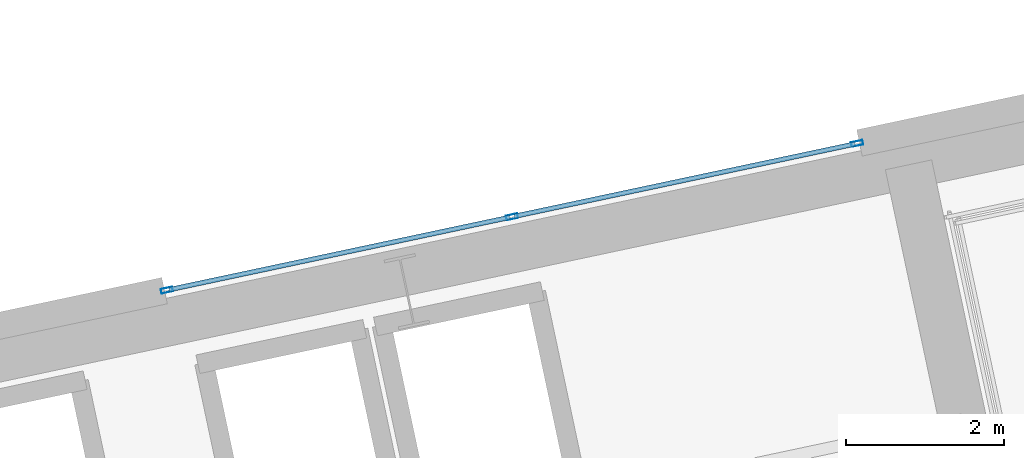
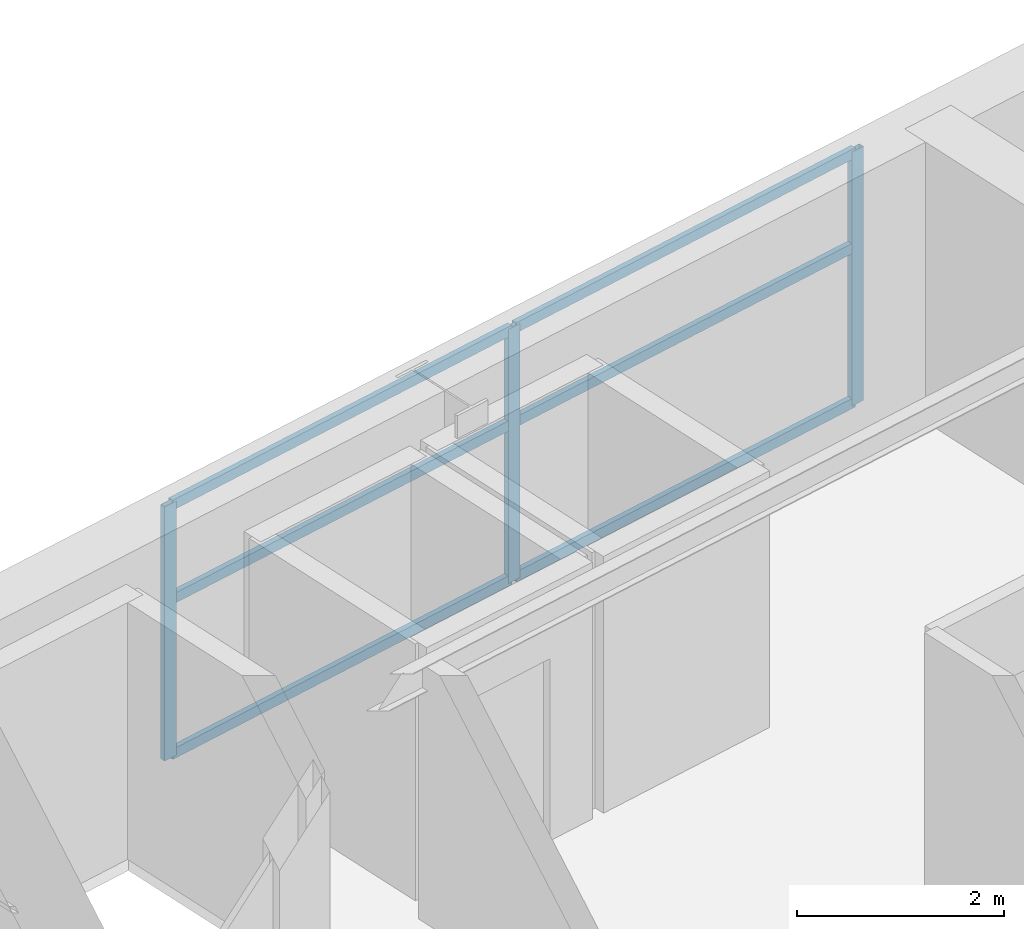
# One storey, part 6 of 22: 9 members, 1 element without a shape of its own.
"""IFC4 building model written with IfcOpenShell, lengths in metres."""

from ifc_helpers import new_model, si_unit, direction, frame, origin, origin_2d, place, context, subcontext, project, spatial, hollow_rectangle, extrude, material, layer, layer_set, material_profile, profile_set, type_object, element, aggregate, save


model = new_model("IFC4")

# Units and contexts
model_context = context("Model", 3, precision=1e-05, world=origin(), true_north=direction((0.0, 1.0)))
body_context = subcontext(model_context, "Body", "Model", "MODEL_VIEW")
ifc_project = project(units=[si_unit("LENGTHUNIT", "METRE"), si_unit("AREAUNIT", "SQUARE_METRE"), si_unit("VOLUMEUNIT", "CUBIC_METRE"), si_unit("PLANEANGLEUNIT", "RADIAN"), si_unit("MASSUNIT", "GRAM", prefix="KILO")], contexts=[model_context])

# Site, building, storey
site_placement = place(None, origin())
site = spatial("IfcSite", under=ifc_project, at=site_placement, CompositionType="ELEMENT")
building_placement = place(site_placement, origin())
building = spatial("IfcBuilding", under=site, at=building_placement, Name="Haevon Station Towers", CompositionType="ELEMENT")
storey_placement = place(building_placement, frame((0.0, 0.0, 70.199951171875)))
storey = spatial("IfcBuildingStorey", under=building, at=storey_placement, Name="L18", CompositionType="ELEMENT", Elevation=70.199951171875)

# Curtain wall, members
ifc_material_1 = material(Name="Anodised aluminium and Low-E double glazing", Category="aluminium")
ifc_layer = layer(ifc_material_1, 0.179931640625)
ifc_layer_set = layer_set([ifc_layer], Name="Anodised aluminium and Low-E double glazing")
curtain_wall_type = type_object("IfcCurtainWallType", Name="CW-SYS5", PredefinedType="NOTDEFINED", material=ifc_layer_set)
curtain_wall_placement = place(storey_placement, origin())
curtain_wall = element("IfcCurtainWall", 1, at=curtain_wall_placement, inside=storey, type_object=curtain_wall_type, Name="L18 Curtain Wall CW-T2-L18-N", PredefinedType="NOTDEFINED")
ifc_material_2 = material(Name="Anodised aluminium 6063-T6", Category="aluminium")
ifc_material_profile_1 = material_profile(ifc_material_2, hollow_rectangle(XDim=0.06005859375, YDim=0.14990234375, WallThickness=0.00341796875, at=origin_2d()), Name="CWM-150x60x3.5")
ifc_profile_set_1 = profile_set([ifc_material_profile_1], Name="Anodised aluminium 6063-T6")
member_type_1 = type_object("IfcMemberType", Name="CWM-150", PredefinedType="MULLION", material=ifc_profile_set_1)
member_1_placement = place(storey_placement, frame((104.03857421875, 48.78955078125, 0.0), z_axis=(0.0, 0.0, 1.0), x_axis=(-0.207911783211, 0.978147581095, 0.0)))
member_1 = element("IfcMember", 2, at=member_1_placement, type_object=member_type_1, Name="CW-SYS5 mullion 1", PredefinedType="MULLION", context=body_context, shape_type="SweptSolid", body=[
    extrude(hollow_rectangle(XDim=0.06005859375, YDim=0.14990234375, WallThickness=0.00341796875, at=origin_2d()), origin(), (0.0, 0.0, 1.0), 3.0),
])
member_2_placement = place(storey_placement, frame((108.410888671875, 49.71875, 0.0), z_axis=(0.0, 0.0, 1.0), x_axis=(-0.207911783211, 0.978147581095, 0.0)))
member_2 = element("IfcMember", 3, at=member_2_placement, type_object=member_type_1, Name="CW-SYS5 mullion 2", PredefinedType="MULLION", context=body_context, shape_type="SweptSolid", body=[
    extrude(hollow_rectangle(XDim=0.06005859375, YDim=0.14990234375, WallThickness=0.00341796875, at=origin_2d()), origin(), (0.0, 0.0, 1.0), 3.0),
])
member_3_placement = place(storey_placement, frame((112.783203125, 50.648193359375, 0.0), z_axis=(0.0, 0.0, 1.0), x_axis=(-0.207911783211, 0.978147581095, 0.0)))
member_3 = element("IfcMember", 4, at=member_3_placement, type_object=member_type_1, Name="CW-SYS5 mullion 3", PredefinedType="MULLION", context=body_context, shape_type="SweptSolid", body=[
    extrude(hollow_rectangle(XDim=0.06005859375, YDim=0.14990234375, WallThickness=0.00341796875, at=origin_2d()), origin(), (0.0, 0.0, 1.0), 3.0),
])
ifc_material_profile_2 = material_profile(ifc_material_2, hollow_rectangle(XDim=0.06005859375, YDim=0.1201171875, WallThickness=0.0029296875, at=origin_2d()), Name="CWT-120x60x3")
ifc_profile_set_2 = profile_set([ifc_material_profile_2], Name="Anodised aluminium 6063-T6")
member_type_2 = type_object("IfcMemberType", Name="CWT-120", PredefinedType="USERDEFINED", material=ifc_profile_set_2)
member_4_placement = place(storey_placement, frame((104.068115234375, 48.795654296875, 0.030029296875), z_axis=(0.978141400356, 0.207940859165, 0.0), x_axis=(-0.207940859165, 0.978141400356, 0.0)))
member_4 = element("IfcMember", 5, at=member_4_placement, type_object=member_type_2, Name="CW-SYS5 transom 1.1", ObjectType="TRANSOM", PredefinedType="USERDEFINED", context=body_context, shape_type="SweptSolid", body=[
    extrude(hollow_rectangle(XDim=0.06005859375, YDim=0.1201171875, WallThickness=0.0029296875, at=origin_2d()), origin(), (0.0, 0.0, 1.0), 4.409912109375),
])
member_5_placement = place(storey_placement, frame((104.068115234375, 48.795654296875, 1.860107421875), z_axis=(0.978141400356, 0.207940859165, 0.0), x_axis=(-0.207940859165, 0.978141400356, 0.0)))
member_5 = element("IfcMember", 6, at=member_5_placement, type_object=member_type_2, Name="CW-SYS5 transom 1.2", ObjectType="TRANSOM", PredefinedType="USERDEFINED", context=body_context, shape_type="SweptSolid", body=[
    extrude(hollow_rectangle(XDim=0.06005859375, YDim=0.1201171875, WallThickness=0.0029296875, at=origin_2d()), origin(), (0.0, 0.0, 1.0), 4.409912109375),
])
member_6_placement = place(storey_placement, frame((104.068115234375, 48.795654296875, 2.969970703125), z_axis=(0.978141400356, 0.207940859165, 0.0), x_axis=(-0.207940859165, 0.978141400356, 0.0)))
member_6 = element("IfcMember", 7, at=member_6_placement, type_object=member_type_2, Name="CW-SYS5 transom 1.3", ObjectType="TRANSOM", PredefinedType="USERDEFINED", context=body_context, shape_type="SweptSolid", body=[
    extrude(hollow_rectangle(XDim=0.06005859375, YDim=0.1201171875, WallThickness=0.0029296875, at=origin_2d()), origin(), (0.0, 0.0, 1.0), 4.409912109375),
])
member_7_placement = place(storey_placement, frame((108.4404296875, 49.72509765625, 0.030029296875), z_axis=(0.9781526595, 0.207887889768, 0.0), x_axis=(-0.207887889768, 0.9781526595, 0.0)))
member_7 = element("IfcMember", 8, at=member_7_placement, type_object=member_type_2, Name="CW-SYS5 transom 2.1", ObjectType="TRANSOM", PredefinedType="USERDEFINED", context=body_context, shape_type="SweptSolid", body=[
    extrude(hollow_rectangle(XDim=0.06005859375, YDim=0.1201171875, WallThickness=0.0029296875, at=origin_2d()), origin(), (0.0, 0.0, 1.0), 4.409912109375),
])
member_8_placement = place(storey_placement, frame((108.4404296875, 49.72509765625, 1.860107421875), z_axis=(0.9781526595, 0.207887889768, 0.0), x_axis=(-0.207887889768, 0.9781526595, 0.0)))
member_8 = element("IfcMember", 9, at=member_8_placement, type_object=member_type_2, Name="CW-SYS5 transom 2.2", ObjectType="TRANSOM", PredefinedType="USERDEFINED", context=body_context, shape_type="SweptSolid", body=[
    extrude(hollow_rectangle(XDim=0.06005859375, YDim=0.1201171875, WallThickness=0.0029296875, at=origin_2d()), origin(), (0.0, 0.0, 1.0), 4.409912109375),
])
member_9_placement = place(storey_placement, frame((108.4404296875, 49.72509765625, 2.969970703125), z_axis=(0.9781526595, 0.207887889768, 0.0), x_axis=(-0.207887889768, 0.9781526595, 0.0)))
member_9 = element("IfcMember", 10, at=member_9_placement, type_object=member_type_2, Name="CW-SYS5 transom 2.3", ObjectType="TRANSOM", PredefinedType="USERDEFINED", context=body_context, shape_type="SweptSolid", body=[
    extrude(hollow_rectangle(XDim=0.06005859375, YDim=0.1201171875, WallThickness=0.0029296875, at=origin_2d()), origin(), (0.0, 0.0, 1.0), 4.409912109375),
])
aggregate(curtain_wall, [member_1, member_2, member_3, member_4, member_5, member_6, member_7, member_8, member_9])

save(model, "model.ifc")
